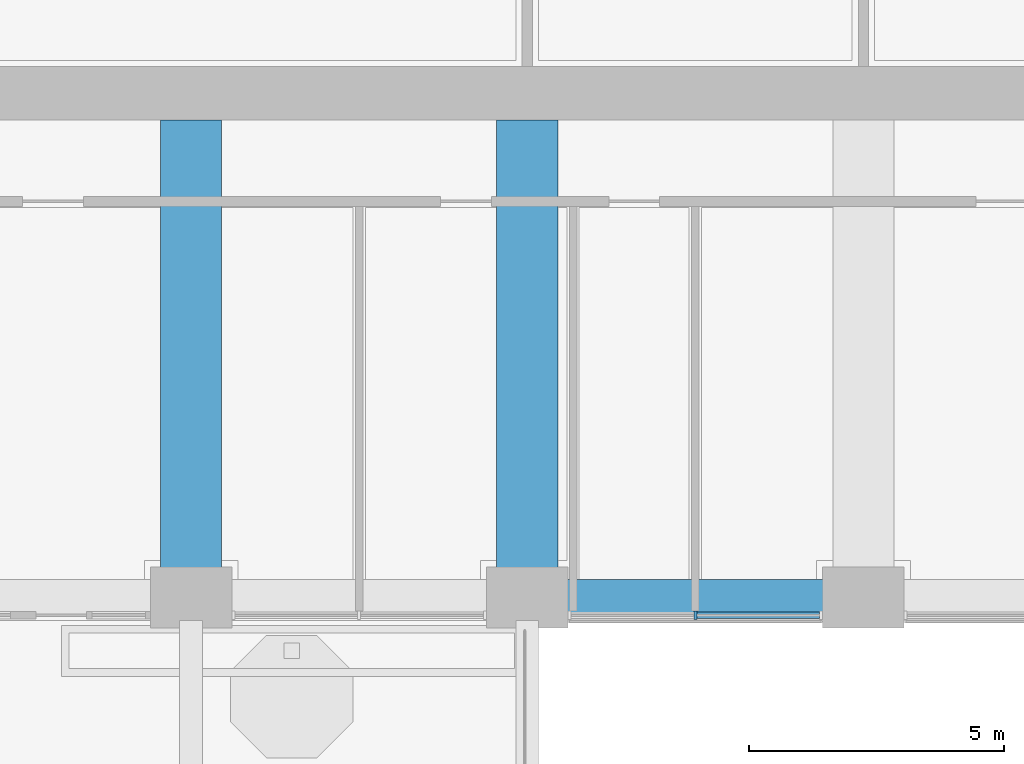
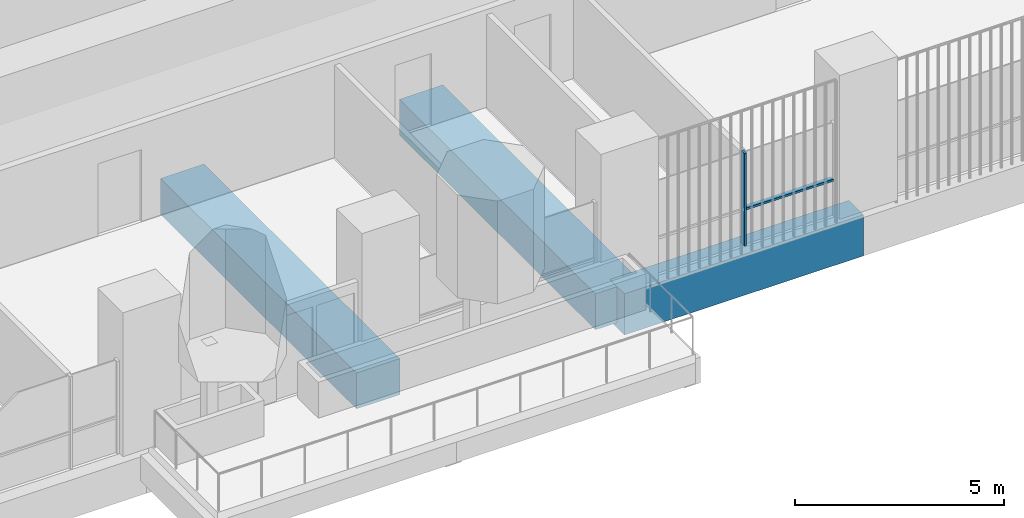
# One storey, part 3 of 20: 3 beams, 2 members, 1 element without a shape of its own.
"""IFC4 building model written with IfcOpenShell, lengths in metres."""

from ifc_helpers import new_model, si_unit, direction, frame, origin, origin_2d, place, context, subcontext, project, spatial, rectangle, extrude, material, material_profile, profile_set, type_object, element, aggregate, save


model = new_model("IFC4")

# Units and contexts
model_context = context("Model", 3, precision=1e-05, world=origin(), true_north=direction((0.0, 1.0)))
body_context = subcontext(model_context, "Body", "Model", "MODEL_VIEW")
ifc_project = project(units=[si_unit("LENGTHUNIT", "METRE"), si_unit("AREAUNIT", "SQUARE_METRE"), si_unit("VOLUMEUNIT", "CUBIC_METRE"), si_unit("PLANEANGLEUNIT", "RADIAN"), si_unit("MASSUNIT", "GRAM", prefix="KILO")], contexts=[model_context])

# Site, building, storey
site_placement = place(None, origin())
site = spatial("IfcSite", under=ifc_project, at=site_placement, CompositionType="ELEMENT")
building_placement = place(site_placement, origin())
building = spatial("IfcBuilding", under=site, at=building_placement, Name="Cobogo Forest Laboratory Tower", CompositionType="ELEMENT")
storey_placement = place(building_placement, frame((0.0, 0.0, 193.5)))
storey = spatial("IfcBuildingStorey", under=building, at=storey_placement, Name="L44", CompositionType="ELEMENT", Elevation=193.5)

# Beams
ifc_material_1 = material(Name="Concrete HA-40 (C40/50)", Category="concrete")
ifc_material_profile_1 = material_profile(ifc_material_1, rectangle(XDim=1.199951171875, YDim=1.050048828125, at=origin_2d()), Name="RC 1200x1050")
ifc_profile_set_1 = profile_set([ifc_material_profile_1], Name="Concrete HA-40 (C40/50)")
beam_type_1 = type_object("IfcBeamType", Name="Laboratory floor wide beam 1200x1050", PredefinedType="BEAM", material=ifc_profile_set_1)
for number, where, z_axis, x_axis, name in (
    (1, (19.800048828125, 12.675048828125, -0.824951171875), (0.0, -1.0, 0.0), (1.0, 0.0, 0.0), "RB1 R-4-S L44"),
    (2, (26.39990234375, 12.675048828125, -0.824951171875), (0.0, -1.0, 0.0), (1.0, 0.0, 0.0), "RB1 R-5-S L44"),
):
    element("IfcBeam", number, at=place(storey_placement, frame(where, z_axis=z_axis, x_axis=x_axis)), inside=storey, type_object=beam_type_1, Name=name, PredefinedType="BEAM", context=body_context, shape_type="SweptSolid", body=[
        extrude(rectangle(XDim=1.199951171875, YDim=1.050048828125, at=origin_2d()), origin(), (0.0, 0.0, 1.0), 9.375),
    ])

# Curtain wall, member
ifc_material_2 = material(Name="Aluminium curtain wall", Category="aluminium")
curtain_wall_type = type_object("IfcCurtainWallType", Name="CW-2 unitised curtain wall, solar control glazing, laboratory floors zones C and D", PredefinedType="USERDEFINED", material=ifc_material_2)
curtain_wall_placement = place(storey_placement, origin())
curtain_wall = element("IfcCurtainWall", 3, at=curtain_wall_placement, inside=storey, type_object=curtain_wall_type, Name="Curtain wall 04 L44", ObjectType="UNITISED CURTAIN WALL", PredefinedType="USERDEFINED")
ifc_material_3 = material(Name="Aluminium mullion", Category="aluminium")
ifc_material_profile_2 = material_profile(ifc_material_3, rectangle(XDim=0.06005859375, YDim=0.159912109375, at=origin_2d()), Name="AL 60x160")
ifc_profile_set_2 = profile_set([ifc_material_profile_2], Name="Aluminium mullion")
member_type_1 = type_object("IfcMemberType", Name="MU-1 aluminium mullion 60x160", PredefinedType="MULLION", material=ifc_profile_set_2)
member_1_placement = place(storey_placement, frame((29.699951171875, 2.949951171875, 0.0), z_axis=(0.0, 0.0, 1.0), x_axis=(1.0, 0.0, 0.0)))
member_1 = element("IfcMember", 4, at=member_1_placement, type_object=member_type_1, Name="CW-2 mullion 2", PredefinedType="MULLION", context=body_context, shape_type="SweptSolid", body=[
    extrude(rectangle(XDim=0.06005859375, YDim=0.159912109375, at=origin_2d()), origin(), (0.0, 0.0, 1.0), 2.699951171875),
])

# Beam
ifc_material_profile_3 = material_profile(ifc_material_1, rectangle(XDim=0.699951171875, YDim=1.199951171875, at=origin_2d()), Name="RC 700x1200")
ifc_profile_set_3 = profile_set([ifc_material_profile_3], Name="Concrete HA-40 (C40/50)")
beam_type_2 = type_object("IfcBeamType", Name="Perimeter edge beam 700x1200", PredefinedType="BEAM", material=ifc_profile_set_3)
beam_placement = place(storey_placement, frame((26.39990234375, 3.300048828125, -0.89990234375), z_axis=(1.0, 0.0, 0.0), x_axis=(0.0, 1.0, 0.0)))
element("IfcBeam", 5, at=beam_placement, inside=storey, type_object=beam_type_2, Name="EB1 E-S3 L44", PredefinedType="BEAM", context=body_context, shape_type="SweptSolid", body=[
    extrude(rectangle(XDim=0.699951171875, YDim=1.199951171875, at=origin_2d()), origin(), (0.0, 0.0, 1.0), 6.60009765625),
])

# Member
ifc_material_4 = material(Name="Aluminium transom", Category="aluminium")
ifc_material_profile_4 = material_profile(ifc_material_4, rectangle(XDim=0.1201171875, YDim=0.06005859375, at=origin_2d()), Name="AL 60x120")
ifc_profile_set_4 = profile_set([ifc_material_profile_4], Name="Aluminium transom")
member_type_2 = type_object("IfcMemberType", Name="TR-1 aluminium transom 60x120", PredefinedType="USERDEFINED", material=ifc_profile_set_4)
member_2_placement = place(storey_placement, frame((29.72998046875, 2.949951171875, 1.050048828125), z_axis=(1.0, 0.0, 0.0), x_axis=(0.0, 1.0, 0.0)))
member_2 = element("IfcMember", 6, at=member_2_placement, type_object=member_type_2, Name="CW-2 transom 2.1", ObjectType="TRANSOM", PredefinedType="USERDEFINED", context=body_context, shape_type="SweptSolid", body=[
    extrude(rectangle(XDim=0.1201171875, YDim=0.06005859375, at=origin_2d()), origin(), (0.0, 0.0, 1.0), 2.409912109375),
])

aggregate(curtain_wall, [member_1, member_2])

save(model, "model.ifc")
